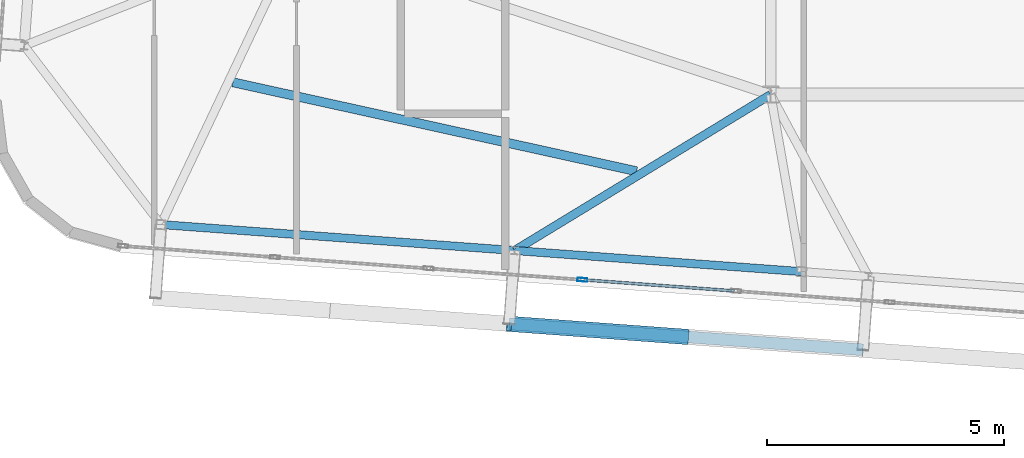
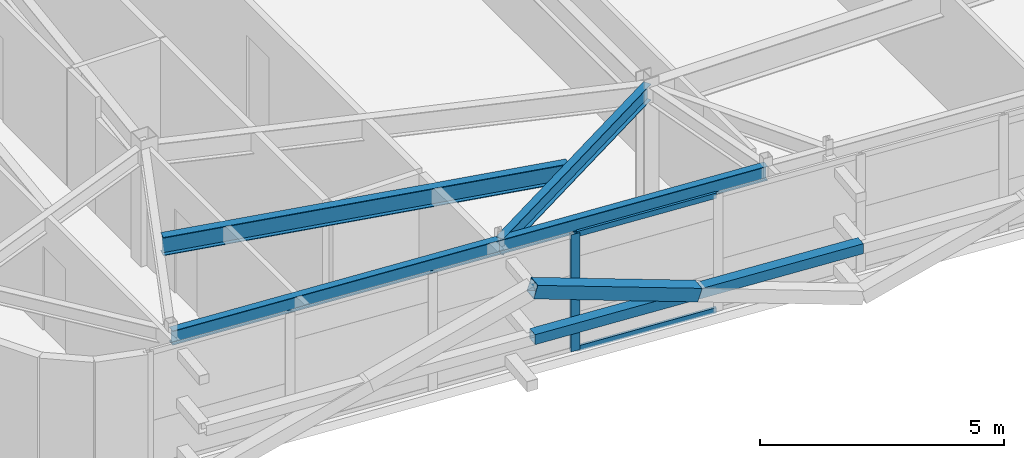
# One storey, part 10 of 42: 5 members, 4 beams, 1 element without a shape of its own.
"""IFC4 building model written with IfcOpenShell, lengths in metres."""

from ifc_helpers import new_model, si_unit, direction, frame, origin, origin_2d, place, context, subcontext, project, spatial, hollow_rectangle, i_section, extrude, source, transform, mapped, material, layer, layer_set, material_profile, profile_set, type_object, element, aggregate, save


model = new_model("IFC4")

# Units and contexts
model_context = context("Model", 3, precision=1e-05, world=origin(), true_north=direction((0.0, 1.0)))
body_context = subcontext(model_context, "Body", "Model", "MODEL_VIEW")
ifc_project = project(units=[si_unit("LENGTHUNIT", "METRE"), si_unit("AREAUNIT", "SQUARE_METRE"), si_unit("VOLUMEUNIT", "CUBIC_METRE"), si_unit("PLANEANGLEUNIT", "RADIAN"), si_unit("MASSUNIT", "GRAM", prefix="KILO")], contexts=[model_context])

# Site, building, storey
site_placement = place(None, origin())
site = spatial("IfcSite", under=ifc_project, at=site_placement, CompositionType="ELEMENT")
building_placement = place(site_placement, origin())
building = spatial("IfcBuilding", under=site, at=building_placement, Name="Taldren Reach Tower", CompositionType="ELEMENT")
storey_placement = place(building_placement, frame((0.0, 0.0, 224.0)))
storey = spatial("IfcBuildingStorey", under=building, at=storey_placement, Name="L68", CompositionType="ELEMENT", Elevation=224.0)

# Beams
ifc_material_1 = material(Name="Steel Gr 350 (350PLUS)", Category="steel")
ifc_material_profile_1 = material_profile(ifc_material_1, i_section(OverallWidth=0.172119140625, OverallDepth=0.35888671875, WebThickness=0.008056640625, FlangeThickness=0.012939453125, at=origin_2d()), Name="360UB56.7")
ifc_profile_set_1 = profile_set([ifc_material_profile_1], Name="Steel Gr 350 (350PLUS)")
beam_type_1 = type_object("IfcBeamType", Name="SP-UB360", PredefinedType="SPANDREL", material=ifc_profile_set_1)
shared_shape_1 = source(origin(), body_context, "Body", "SweptSolid", [
    extrude(i_section(OverallWidth=0.172119140625, OverallDepth=0.35888671875, WebThickness=0.008056640625, FlangeThickness=0.012939453125, at=origin_2d()), origin(), (0.0, 0.0, 1.0), 7.47998046875),
])
beam_1_placement = place(storey_placement, frame((15.140625, 6.460205078125, 2.75048828125), z_axis=(0.997314220642, -0.07324169103, 0.0), x_axis=(0.07324169103, 0.997314220642, 0.0)))
element("IfcBeam", 1, at=beam_1_placement, inside=storey, type_object=beam_type_1, Name="Perimeter spandrel B5 S1-S2 L68", PredefinedType="SPANDREL", context=body_context, shape_type="MappedRepresentation", body=[
    mapped(shared_shape_1, transform((0.0, 0.0, 0.0), scale=1.0)),
])
shared_shape_2 = source(origin(), body_context, "Body", "SweptSolid", [
    extrude(i_section(OverallWidth=0.172119140625, OverallDepth=0.35888671875, WebThickness=0.008056640625, FlangeThickness=0.012939453125, at=origin_2d()), origin(), (0.0, 0.0, 1.0), 6.070068359375),
])
beam_2_placement = place(storey_placement, frame((22.6005859375, 5.912353515625, 2.75048828125), z_axis=(0.997314196413, -0.073242020958, 0.0), x_axis=(0.073242020958, 0.997314196413, 0.0)))
element("IfcBeam", 2, at=beam_2_placement, inside=storey, type_object=beam_type_1, Name="Perimeter spandrel B5 S2-PJ1 L68", PredefinedType="SPANDREL", context=body_context, shape_type="MappedRepresentation", body=[
    mapped(shared_shape_2, transform((0.0, 0.0, 0.0), scale=1.0)),
])
ifc_material_profile_2 = material_profile(ifc_material_1, i_section(OverallWidth=0.177978515625, OverallDepth=0.406005859375, WebThickness=0.0078125, FlangeThickness=0.0126953125, at=origin_2d()), Name="410UB59.7")
ifc_profile_set_2 = profile_set([ifc_material_profile_2], Name="Steel Gr 350 (350PLUS)")
beam_type_2 = type_object("IfcBeamType", Name="BM-UB410", PredefinedType="BEAM", material=ifc_profile_set_2)
shared_shape_3 = source(origin(), body_context, "Body", "SweptSolid", [
    extrude(i_section(OverallWidth=0.177978515625, OverallDepth=0.406005859375, WebThickness=0.0078125, FlangeThickness=0.0126953125, at=origin_2d()), origin(), (0.0, 0.0, 1.0), 6.321533203125),
])
beam_3_placement = place(storey_placement, frame((28.0, 9.199951171875, 2.72705078125), z_axis=(-0.854128445192, -0.520062110823, 0.0), x_axis=(0.520062110823, -0.854128445192, 0.0)))
element("IfcBeam", 3, at=beam_3_placement, inside=storey, type_object=beam_type_2, Name="Primary floor girder B5-S2 L68", PredefinedType="BEAM", context=body_context, shape_type="MappedRepresentation", body=[
    mapped(shared_shape_3, transform((0.0, 0.0, 0.0), scale=1.0)),
])
ifc_material_profile_3 = material_profile(ifc_material_1, i_section(OverallWidth=0.19091796875, OverallDepth=0.4599609375, WebThickness=0.010009765625, FlangeThickness=0.01611328125, at=origin_2d()), Name="460UB82.1")
ifc_profile_set_3 = profile_set([ifc_material_profile_3], Name="Steel Gr 350 (350PLUS)")
beam_type_3 = type_object("IfcBeamType", Name="BM-UB460A", PredefinedType="BEAM", material=ifc_profile_set_3)
shared_shape_4 = source(origin(), body_context, "Body", "SweptSolid", [
    extrude(i_section(OverallWidth=0.19091796875, OverallDepth=0.4599609375, WebThickness=0.010009765625, FlangeThickness=0.01611328125, at=origin_2d()), origin(), (0.0, 0.0, 1.0), 8.719482421875),
])
beam_4_placement = place(storey_placement, frame((16.659423828125, 9.46044921875, 2.699951171875), z_axis=(0.976568964704, -0.2152046867, 0.0), x_axis=(0.2152046867, 0.976568964704, 0.0)))
element("IfcBeam", 4, at=beam_4_placement, inside=storey, type_object=beam_type_3, Name="Secondary floor beam B5 J1 L68", PredefinedType="BEAM", context=body_context, shape_type="MappedRepresentation", body=[
    mapped(shared_shape_4, transform((0.0, 0.0, 0.0), scale=1.0)),
])

# Members
ifc_material_2 = material(Name="Steel Gr 450 (C450L0)", Category="steel")
ifc_material_profile_4 = material_profile(ifc_material_2, hollow_rectangle(XDim=0.324951171875, YDim=0.324951171875, WallThickness=0.0126953125, at=origin_2d()), Name="325x325x12.7SHS")
ifc_profile_set_4 = profile_set([ifc_material_profile_4], Name="Steel Gr 450 (C450L0)")
member_type_1 = type_object("IfcMemberType", Name="MB-BR324", PredefinedType="BRACE", material=ifc_profile_set_4)
shared_shape_5 = source(origin(), body_context, "Body", "SweptSolid", [
    extrude(hollow_rectangle(XDim=0.324951171875, YDim=0.324951171875, WallThickness=0.0126953125, at=origin_2d()), origin(), (0.0, 0.0, 1.0), 3.932373046875),
])
member_1_placement = place(storey_placement, frame((26.217041015625, 4.0927734375, 1.43505859375), z_axis=(-0.948529326954, 0.06965898055, 0.308933232813), x_axis=(-0.07324169103, -0.997314220642, 0.0)))
element("IfcMember", 5, at=member_1_placement, inside=storey, type_object=member_type_1, Name="Exoskeleton Diagrid Brace B5-S2 L68", PredefinedType="BRACE", context=body_context, shape_type="MappedRepresentation", body=[
    mapped(shared_shape_5, transform((0.0, 0.0, 0.0), scale=1.0)),
])
ifc_material_3 = material(Name="Steel Gr 350 (C350L0)", Category="steel")
ifc_material_profile_5 = material_profile(ifc_material_3, hollow_rectangle(XDim=0.25, YDim=0.25, WallThickness=0.010009765625, at=origin_2d()), Name="250x250x10.0SHS")
ifc_profile_set_5 = profile_set([ifc_material_profile_5], Name="Steel Gr 350 (C350L0)")
member_type_2 = type_object("IfcMemberType", Name="MB-POST250", PredefinedType="POST", material=ifc_profile_set_5)
shared_shape_6 = source(origin(), body_context, "Body", "SweptSolid", [
    extrude(hollow_rectangle(XDim=0.25, YDim=0.25, WallThickness=0.010009765625, at=origin_2d()), origin(), (0.0, 0.0, 1.0), 7.47998046875),
])
member_2_placement = place(storey_placement, frame((22.487060546875, 4.36669921875, 1.43505859375), z_axis=(0.997314220642, -0.07324169103, 0.0), x_axis=(0.07324169103, 0.997314220642, 0.0)))
element("IfcMember", 6, at=member_2_placement, inside=storey, type_object=member_type_2, Name="Exoskeleton mid-height ring chord B5-S2 L68", PredefinedType="POST", context=body_context, shape_type="MappedRepresentation", body=[
    mapped(shared_shape_6, transform((0.0, 0.0, 0.0), scale=1.0)),
])

# Curtain wall, members
ifc_material_4 = material(Name="Aluminium and Low-E Glass Unitised System", Category="aluminium")
ifc_layer = layer(ifc_material_4, 0.159912109375)
ifc_layer_set = layer_set([ifc_layer], Name="Aluminium and Low-E Glass Unitised System")
curtain_wall_type = type_object("IfcCurtainWallType", Name="CW-SYS-6", PredefinedType="NOTDEFINED", material=ifc_layer_set)
curtain_wall_placement = place(storey_placement, origin())
curtain_wall = element("IfcCurtainWall", 7, at=curtain_wall_placement, inside=storey, type_object=curtain_wall_type, Name="Unitised curtain wall CW-L68-S", PredefinedType="NOTDEFINED")
ifc_material_5 = material(Name="Anodised Aluminium 6063-T6", Category="aluminium")
ifc_material_profile_6 = material_profile(ifc_material_5, hollow_rectangle(XDim=0.074951171875, YDim=0.2099609375, WallThickness=0.00439453125, at=origin_2d()), Name="ALU-210x75x4.5RHS")
ifc_profile_set_6 = profile_set([ifc_material_profile_6], Name="Anodised Aluminium 6063-T6")
member_type_3 = type_object("IfcMemberType", Name="CW-MUL-200", PredefinedType="MULLION", material=ifc_profile_set_6)
shared_shape_7 = source(origin(), body_context, "Body", "SweptSolid", [
    extrude(hollow_rectangle(XDim=0.074951171875, YDim=0.2099609375, WallThickness=0.00439453125, at=origin_2d()), origin(), (0.0, 0.0, 1.0), 2.929931640625),
])
member_3_placement = place(storey_placement, frame((24.029296875, 5.296142578125, 0.0), z_axis=(0.0, 0.0, 1.0), x_axis=(0.073238213716, 0.997314476006, 0.0)))
member_3 = element("IfcMember", 8, at=member_3_placement, type_object=member_type_3, Name="CW-6 mullion 4", PredefinedType="MULLION", context=body_context, shape_type="MappedRepresentation", body=[
    mapped(shared_shape_7, transform((0.0, 0.0, 0.0), scale=1.0)),
])
ifc_material_profile_7 = material_profile(ifc_material_5, hollow_rectangle(XDim=0.06005859375, YDim=0.135009765625, WallThickness=0.00341796875, at=origin_2d()), Name="ALU-135x60x3.5RHS")
ifc_profile_set_7 = profile_set([ifc_material_profile_7], Name="Anodised Aluminium 6063-T6")
member_type_4 = type_object("IfcMemberType", Name="CW-TRN-150", PredefinedType="USERDEFINED", material=ifc_profile_set_7)
shared_shape_8 = source(origin(), body_context, "Body", "SweptSolid", [
    extrude(hollow_rectangle(XDim=0.06005859375, YDim=0.135009765625, WallThickness=0.00341796875, at=origin_2d()), origin(), (0.0, 0.0, 1.0), 3.175048828125),
])
member_4_placement = place(storey_placement, frame((24.066650390625, 5.29345703125, 0.030029296875), z_axis=(0.997311428111, -0.073279706322, 0.0), x_axis=(0.073279706322, 0.997311428111, 0.0)))
member_4 = element("IfcMember", 9, at=member_4_placement, type_object=member_type_4, Name="CW-6 transom 4.1", ObjectType="TRANSOM", PredefinedType="USERDEFINED", context=body_context, shape_type="MappedRepresentation", body=[
    mapped(shared_shape_8, transform((0.0, 0.0, 0.0), scale=1.0)),
])
member_5_placement = place(storey_placement, frame((24.066650390625, 5.29345703125, 2.89990234375), z_axis=(0.997311428111, -0.073279706322, 0.0), x_axis=(0.073279706322, 0.997311428111, 0.0)))
member_5 = element("IfcMember", 10, at=member_5_placement, type_object=member_type_4, Name="CW-6 transom 4.2", ObjectType="TRANSOM", PredefinedType="USERDEFINED", context=body_context, shape_type="MappedRepresentation", body=[
    mapped(shared_shape_8, transform((0.0, 0.0, 0.0), scale=1.0)),
])
aggregate(curtain_wall, [member_3, member_4, member_5])

save(model, "model.ifc")
